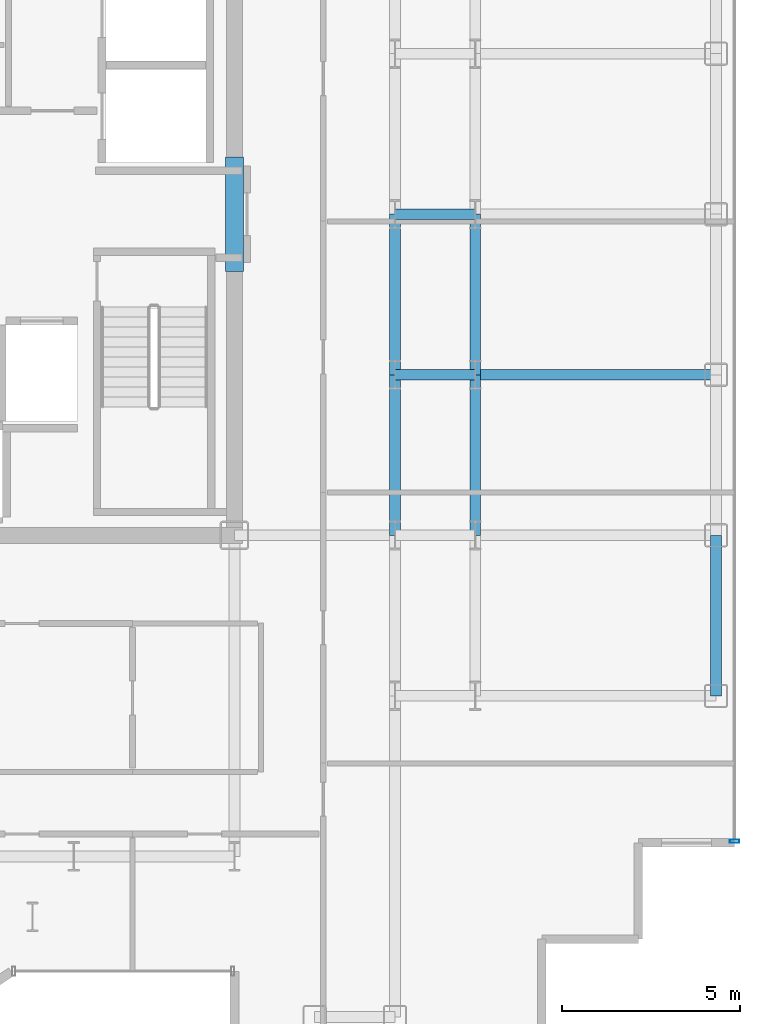
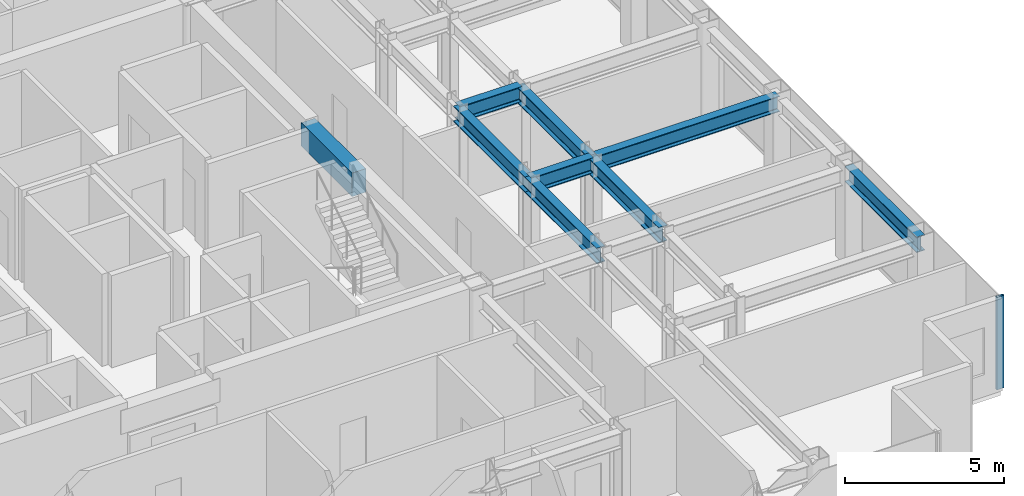
# One storey, part 6 of 20: 9 beams, 1 member, 1 element without a shape of its own.
"""IFC4 building model written with IfcOpenShell, lengths in metres."""

from ifc_helpers import new_model, si_unit, direction, frame, origin, origin_2d, place, context, subcontext, project, spatial, rectangle, hollow_rectangle, i_section, extrude, source, transform, mapped, material, layer, layer_set, material_profile, profile_set, type_object, element, aggregate, save


model = new_model("IFC4")

# Units and contexts
model_context = context("Model", 3, precision=1e-05, world=origin(), true_north=direction((0.0, 1.0)))
body_context = subcontext(model_context, "Body", "Model", "MODEL_VIEW")
ifc_project = project(units=[si_unit("LENGTHUNIT", "METRE"), si_unit("AREAUNIT", "SQUARE_METRE"), si_unit("VOLUMEUNIT", "CUBIC_METRE"), si_unit("PLANEANGLEUNIT", "RADIAN"), si_unit("MASSUNIT", "GRAM", prefix="KILO")], contexts=[model_context])

# Site, building, storey
site_placement = place(None, origin())
site = spatial("IfcSite", under=ifc_project, at=site_placement, CompositionType="ELEMENT")
building_placement = place(site_placement, origin())
building = spatial("IfcBuilding", under=site, at=building_placement, Name="Nefas-Gora Pilgrimage Tower", CompositionType="ELEMENT")
storey_placement = place(building_placement, frame((0.0, 0.0, 237.0)))
storey = spatial("IfcBuildingStorey", under=building, at=storey_placement, Name="L59", CompositionType="ELEMENT", Elevation=237.0)

# Beams
ifc_material_1 = material(Name="Concrete C50/60", Category="concrete")
ifc_material_profile_1 = material_profile(ifc_material_1, rectangle(XDim=0.5, YDim=0.89990234375, at=origin_2d()), Name="RC 500x900")
ifc_profile_set_1 = profile_set([ifc_material_profile_1], Name="Concrete C50/60")
beam_type_1 = type_object("IfcBeamType", Name="BM-LIN-RC900", PredefinedType="LINTEL", material=ifc_profile_set_1)
shared_shape_1 = source(origin(), body_context, "Body", "SweptSolid", [
    extrude(rectangle(XDim=0.5, YDim=0.89990234375, at=origin_2d()), origin(), (0.0, 0.0, 1.0), 3.2001953125),
])
beam_1_placement = place(storey_placement, frame((11.25, -1.60009765625, 3.10009765625), z_axis=(0.0, 1.0, 0.0), x_axis=(-1.0, 0.0, 0.0)))
element("IfcBeam", 1, at=beam_1_placement, inside=storey, type_object=beam_type_1, Name="L59 Core Coupling Lintel Beam E", PredefinedType="LINTEL", context=body_context, shape_type="MappedRepresentation", body=[
    mapped(shared_shape_1, transform((0.0, 0.0, 0.0), x_axis=(1.0, 0.0, 0.0), y_axis=(0.0, 1.0, 0.0), z_axis=(0.0, 0.0, 1.0), scale=1.0)),
])
ifc_material_2 = material(Name="Steel S355", Category="steel")
ifc_material_profile_2 = material_profile(ifc_material_2, i_section(OverallWidth=0.300048828125, OverallDepth=0.60009765625, WebThickness=0.015380859375, FlangeThickness=0.030029296875, FilletRadius=0.027099609375, at=origin_2d()), Name="HEB 600")
ifc_profile_set_2 = profile_set([ifc_material_profile_2], Name="Steel S355")
beam_type_2 = type_object("IfcBeamType", Name="BM-SPN-HEB450", PredefinedType="SPANDREL", material=ifc_profile_set_2)
shared_shape_2 = source(origin(), body_context, "Body", "SweptSolid", [
    extrude(i_section(OverallWidth=0.300048828125, OverallDepth=0.60009765625, WebThickness=0.015380859375, FlangeThickness=0.030029296875, FilletRadius=0.027099609375, at=origin_2d()), origin(), (0.0, 0.0, 1.0), 4.5),
])
beam_2_placement = place(storey_placement, frame((24.75, -13.5, 3.25), z_axis=(0.0, 1.0, 0.0), x_axis=(-1.0, 0.0, 0.0)))
element("IfcBeam", 2, at=beam_2_placement, inside=storey, type_object=beam_type_2, Name="L59 SP-03 beam", PredefinedType="SPANDREL", context=body_context, shape_type="MappedRepresentation", body=[
    mapped(shared_shape_2, transform((0.0, 0.0, 0.0), x_axis=(1.0, 0.0, 0.0), y_axis=(0.0, 1.0, 0.0), z_axis=(0.0, 0.0, 1.0), scale=1.0)),
])
ifc_material_profile_3 = material_profile(ifc_material_2, i_section(OverallWidth=0.300048828125, OverallDepth=0.60009765625, WebThickness=0.015380859375, FlangeThickness=0.030029296875, FilletRadius=0.027099609375, at=origin_2d()), Name="HEB 600")
ifc_profile_set_3 = profile_set([ifc_material_profile_3], Name="Steel S355")
beam_type_3 = type_object("IfcBeamType", Name="BM-GIR-HEB600", PredefinedType="BEAM", material=ifc_profile_set_3)
shared_shape_3 = source(origin(), body_context, "Body", "SweptSolid", [
    extrude(i_section(OverallWidth=0.300048828125, OverallDepth=0.60009765625, WebThickness=0.015380859375, FlangeThickness=0.030029296875, FilletRadius=0.027099609375, at=origin_2d()), origin(), (0.0, 0.0, 1.0), 4.5),
])
for number, where, z_axis, x_axis, name in (
    (3, (15.75, -9.0, 3.25), (0.0, 1.0, 0.0), (-1.0, 0.0, 0.0), "L59 G-04 beam"),
    (4, (15.75, -4.5, 3.25), (0.0, 1.0, 0.0), (-1.0, 0.0, 0.0), "L59 G-04 beam"),
    (5, (18.0, -9.0, 3.25), (0.0, 1.0, 0.0), (-1.0, 0.0, 0.0), "L59 G-04 beam"),
    (6, (18.0, -4.5, 3.25), (0.0, 1.0, 0.0), (-1.0, 0.0, 0.0), "L59 G-04 beam"),
):
    element("IfcBeam", number, at=place(storey_placement, frame(where, z_axis=z_axis, x_axis=x_axis)), inside=storey, type_object=beam_type_3, Name=name, PredefinedType="BEAM", context=body_context, shape_type="MappedRepresentation", body=[
        mapped(shared_shape_3, transform((0.0, 0.0, 0.0), x_axis=(1.0, 0.0, 0.0), y_axis=(0.0, 1.0, 0.0), z_axis=(0.0, 0.0, 1.0), scale=1.0)),
    ])
shared_shape_4 = source(origin(), body_context, "Body", "SweptSolid", [
    extrude(i_section(OverallWidth=0.300048828125, OverallDepth=0.60009765625, WebThickness=0.015380859375, FlangeThickness=0.030029296875, FilletRadius=0.027099609375, at=origin_2d()), origin(), (0.0, 0.0, 1.0), 6.75),
])
beam_3_placement = place(storey_placement, frame((18.0, -4.5, 3.25), z_axis=(1.0, 0.0, 0.0), x_axis=(0.0, 1.0, 0.0)))
element("IfcBeam", 7, at=beam_3_placement, inside=storey, type_object=beam_type_3, Name="L59 G-04 beam", PredefinedType="BEAM", context=body_context, shape_type="MappedRepresentation", body=[
    mapped(shared_shape_4, transform((0.0, 0.0, 0.0), x_axis=(1.0, 0.0, 0.0), y_axis=(0.0, 1.0, 0.0), z_axis=(0.0, 0.0, 1.0), scale=1.0)),
])
shared_shape_5 = source(origin(), body_context, "Body", "SweptSolid", [
    extrude(i_section(OverallWidth=0.300048828125, OverallDepth=0.60009765625, WebThickness=0.015380859375, FlangeThickness=0.030029296875, FilletRadius=0.027099609375, at=origin_2d()), origin(), (0.0, 0.0, 1.0), 2.25),
])
for number, where, z_axis, x_axis, name in (
    (8, (15.75, -4.5, 3.25), (1.0, 0.0, 0.0), (0.0, 1.0, 0.0), "L59 G-04 beam"),
    (9, (15.75, 0.0, 3.25), (1.0, 0.0, 0.0), (0.0, 1.0, 0.0), "L59 G-04 beam"),
):
    element("IfcBeam", number, at=place(storey_placement, frame(where, z_axis=z_axis, x_axis=x_axis)), inside=storey, type_object=beam_type_3, Name=name, PredefinedType="BEAM", context=body_context, shape_type="MappedRepresentation", body=[
        mapped(shared_shape_5, transform((0.0, 0.0, 0.0), x_axis=(1.0, 0.0, 0.0), y_axis=(0.0, 1.0, 0.0), z_axis=(0.0, 0.0, 1.0), scale=1.0)),
    ])

# Curtain wall, member
ifc_material_3 = material(Name="Dark ceramic-fritted solar-control aluminium-glass curtain wall", Category="aluminium")
ifc_layer = layer(ifc_material_3, 0.219970703125)
ifc_layer_set = layer_set([ifc_layer], Name="Dark ceramic-fritted solar-control aluminium-glass curtain wall")
curtain_wall_type = type_object("IfcCurtainWallType", Name="CW-SYS-3", PredefinedType="NOTDEFINED", material=ifc_layer_set)
curtain_wall_placement = place(storey_placement, origin())
curtain_wall = element("IfcCurtainWall", 10, at=curtain_wall_placement, inside=storey, type_object=curtain_wall_type, Name="L59 Unitised Curtain Wall CW3", PredefinedType="NOTDEFINED")
ifc_material_4 = material(Name="Anodised architectural aluminium", Category="aluminium")
ifc_material_profile_4 = material_profile(ifc_material_4, hollow_rectangle(XDim=0.090087890625, YDim=0.260009765625, WallThickness=0.006103515625, InnerFilletRadius=0.006103515625, OuterFilletRadius=0.011962890625, at=origin_2d()), Name="ALU MULLION 90x260")
ifc_profile_set_4 = profile_set([ifc_material_profile_4], Name="Anodised architectural aluminium")
member_type = type_object("IfcMemberType", Name="CWM-MUL-3", PredefinedType="MULLION", material=ifc_profile_set_4)
shared_shape_6 = source(origin(), body_context, "Body", "SweptSolid", [
    extrude(hollow_rectangle(XDim=0.090087890625, YDim=0.260009765625, WallThickness=0.006103515625, InnerFilletRadius=0.006103515625, OuterFilletRadius=0.011962890625, at=origin_2d()), origin(), (0.0, 0.0, 1.0), 3.550048828125),
])
member_placement = place(storey_placement, frame((25.27001953125, -17.574951171875, 0.0), z_axis=(0.0, 0.0, 1.0), x_axis=(0.0, 1.0, 0.0)))
member = element("IfcMember", 11, at=member_placement, type_object=member_type, Name="CW3 Mullion 1", PredefinedType="MULLION", context=body_context, shape_type="MappedRepresentation", body=[
    mapped(shared_shape_6, transform((0.0, 0.0, 0.0), x_axis=(1.0, 0.0, 0.0), y_axis=(0.0, 1.0, 0.0), z_axis=(0.0, 0.0, 1.0), scale=1.0)),
])
aggregate(curtain_wall, [member])

save(model, "model.ifc")
